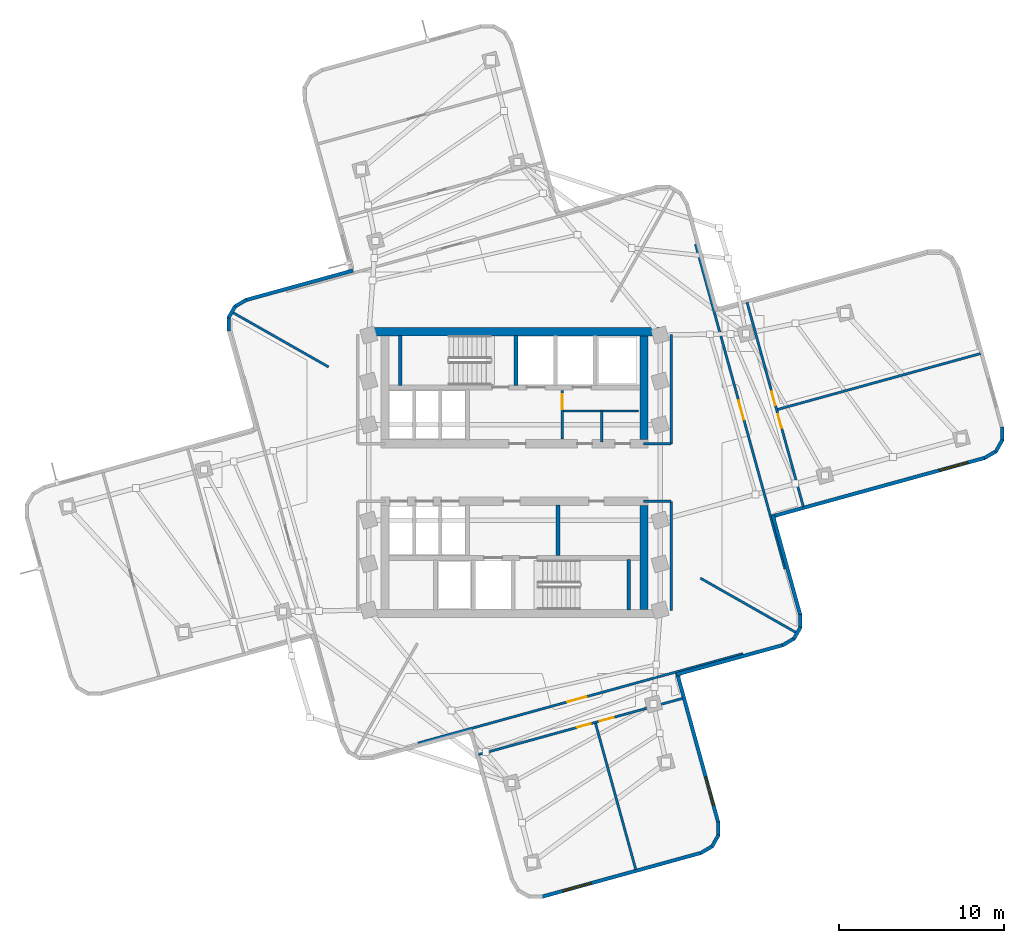
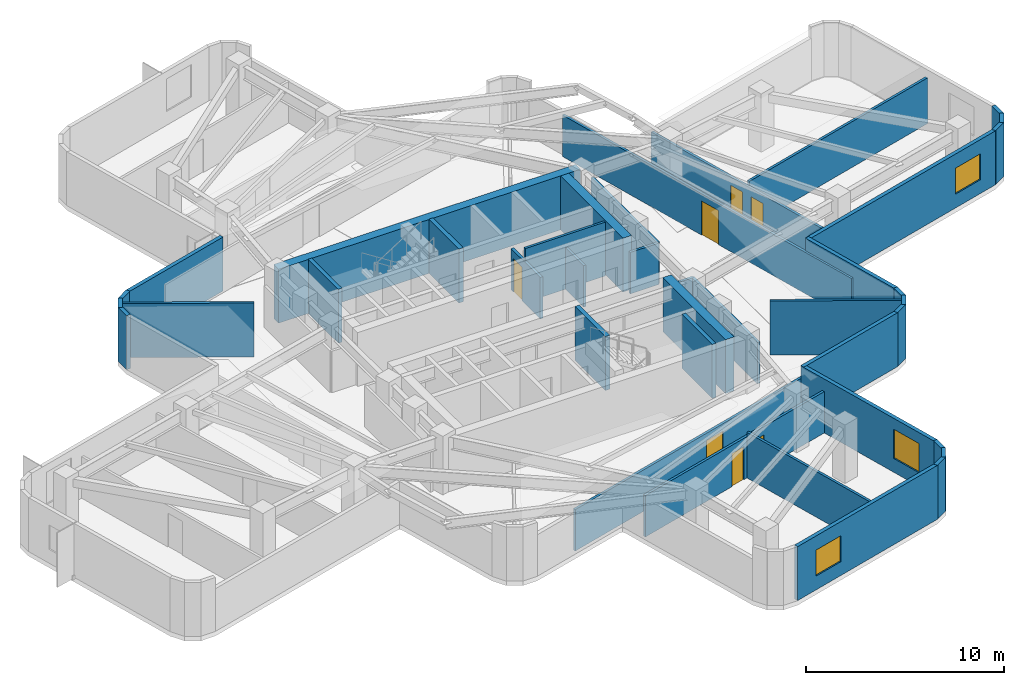
# One storey, part 4 of 8: 40 walls, 7 doors, 3 windows, 10 openings.
"""IFC4 building model written with IfcOpenShell, lengths in metres."""

from ifc_helpers import new_model, si_unit, direction, frame, frame_2d, origin, place, context, subcontext, project, spatial, rectangle, extrude, material, layer, layer_set, type_object, element, fill, save


model = new_model("IFC4")

# Units and contexts
model_context = context("Model", 3, precision=1e-05, world=origin(), true_north=direction((0.0, 1.0)))
body_context = subcontext(model_context, "Body", "Model", "MODEL_VIEW")
ifc_project = project(units=[si_unit("LENGTHUNIT", "METRE"), si_unit("AREAUNIT", "SQUARE_METRE"), si_unit("VOLUMEUNIT", "CUBIC_METRE"), si_unit("PLANEANGLEUNIT", "RADIAN"), si_unit("MASSUNIT", "GRAM", prefix="KILO")], contexts=[model_context])

# Site, building, storey
site_placement = place(None, origin())
site = spatial("IfcSite", under=ifc_project, at=site_placement, CompositionType="ELEMENT")
building_placement = place(site_placement, origin())
building = spatial("IfcBuilding", under=site, at=building_placement, Name="Solmarez Civic Tower", CompositionType="ELEMENT")
storey_placement = place(building_placement, frame((0.0, 0.0, 137.8798828125)))
storey = spatial("IfcBuildingStorey", under=building, at=storey_placement, Name="L36", CompositionType="ELEMENT", Elevation=137.8798828125)

# Walls
ifc_material_1 = material(Name="Concrete C60/75", Category="concrete")
ifc_layer_1 = layer(ifc_material_1, 0.5)
ifc_layer_set_1 = layer_set([ifc_layer_1], Name="Concrete C60/75")
wall_type_1 = type_object("IfcWallType", Name="WALL-CORE-500", PredefinedType="SHEAR", material=ifc_layer_set_1)
wall_1_placement = place(storey_placement, frame((-8.780029296875, 8.56005859375, 0.0), z_axis=(0.0, 0.0, 1.0), x_axis=(1.0, 0.0, 0.0)))
element("IfcWall", 1, at=wall_1_placement, inside=storey, type_object=wall_type_1, Name="L36 Split-Core Structural Wall NCW-N-L36", PredefinedType="SHEAR", context=body_context, shape_type="SweptSolid", body=[
    extrude(rectangle(XDim=17.56005859375, YDim=0.5, at=frame_2d((8.780029296875, 0.0))), origin(), (0.0, 0.0, 1.0), 3.320068359375),
])
for number, where, z_axis, x_axis, name in (
    (2, (7.8701171875, 8.31005859375, 0.0), (0.0, 0.0, 1.0), (0.0, -1.0, 0.0), "L36 Split-Core Structural Wall NCW-E-L36"),
    (3, (7.8701171875, -2.0, 0.0), (0.0, 0.0, 1.0), (0.0, -1.0, 0.0), "L36 Split-Core Structural Wall SCW-E-L36"),
):
    element("IfcWall", number, at=place(storey_placement, frame(where, z_axis=z_axis, x_axis=x_axis)), inside=storey, type_object=wall_type_1, Name=name, PredefinedType="SHEAR", context=body_context, shape_type="SweptSolid", body=[
        extrude(rectangle(XDim=6.31005859375, YDim=0.5, at=frame_2d((3.155029296875, 0.0))), origin(), (0.0, 0.0, 1.0), 3.320068359375),
    ])
ifc_material_2 = material(Name="Precast concrete C40/50", Category="concrete")
ifc_layer_2 = layer(ifc_material_2, 0.219970703125)
ifc_layer_set_2 = layer_set([ifc_layer_2], Name="Precast concrete C40/50")
wall_type_2 = type_object("IfcWallType", Name="WALL-EXT-220", PredefinedType="SOLIDWALL", material=ifc_layer_set_2)
wall_2_placement = place(storey_placement, frame((-17.35693359375, 8.611083984375, 0.0), z_axis=(0.0, 0.0, 1.0), x_axis=(-0.006140235123, 0.999981148579, 0.0)))
element("IfcWall", 4, at=wall_2_placement, inside=storey, type_object=wall_type_2, Name="L36 Exterior Precast Wall 14", PredefinedType="SOLIDWALL", context=body_context, shape_type="SweptSolid", body=[
    extrude(rectangle(XDim=0.8349609375, YDim=0.219970703125, at=frame_2d((0.41748046875, 0.0))), origin(), (0.0, 0.0, 1.0), 3.320068359375),
])
wall_3_placement = place(storey_placement, frame((-17.3740234375, 9.39892578125, 0.0), z_axis=(0.0, 0.0, 1.0), x_axis=(0.492959963164, 0.87005199541, 0.0)))
element("IfcWall", 5, at=wall_3_placement, inside=storey, type_object=wall_type_2, Name="L36 Exterior Precast Wall 15", PredefinedType="SOLIDWALL", context=body_context, shape_type="SweptSolid", body=[
    extrude(rectangle(XDim=0.819580078125, YDim=0.219970703125, at=frame_2d((0.40966796875, 0.0))), origin(), (0.0, 0.0, 1.0), 3.320068359375),
])
wall_4_placement = place(storey_placement, frame((-17.00390625, 10.076904296875, 0.0), z_axis=(0.0, 0.0, 1.0), x_axis=(0.862662761192, 0.505779557172, 0.0)))
element("IfcWall", 6, at=wall_4_placement, inside=storey, type_object=wall_type_2, Name="L36 Exterior Precast Wall 16", PredefinedType="SOLIDWALL", context=body_context, shape_type="SweptSolid", body=[
    extrude(rectangle(XDim=0.83447265625, YDim=0.219970703125, at=frame_2d((0.417236328125, 0.0))), origin(), (0.0, 0.0, 1.0), 3.320068359375),
])
wall_5_placement = place(storey_placement, frame((-16.330078125, 10.47900390625, 0.0), z_axis=(0.0, 0.0, 1.0), x_axis=(0.964092175021, 0.265567840793, 0.0)))
element("IfcWall", 7, at=wall_5_placement, inside=storey, type_object=wall_type_2, Name="L36 Exterior Precast Wall 17", PredefinedType="SOLIDWALL", context=body_context, shape_type="SweptSolid", body=[
    extrude(rectangle(XDim=6.7587890625, YDim=0.219970703125, at=frame_2d((3.37939453125, 0.0))), origin(), (0.0, 0.0, 1.0), 3.320068359375),
])
wall_6_placement = place(storey_placement, frame((29.6259765625, 2.764892578125, 0.0), z_axis=(0.0, 0.0, 1.0), x_axis=(0.006147424822, -0.999981104406, 0.0)))
element("IfcWall", 8, at=wall_6_placement, inside=storey, type_object=wall_type_2, Name="L36 Exterior Precast Wall 43", PredefinedType="SOLIDWALL", context=body_context, shape_type="SweptSolid", body=[
    extrude(rectangle(XDim=0.833984375, YDim=0.219970703125, at=frame_2d((0.4169921875, 0.0))), origin(), (0.0, 0.0, 1.0), 3.320068359375),
])
wall_7_placement = place(storey_placement, frame((29.64306640625, 1.97802734375, 0.0), z_axis=(0.0, 0.0, 1.0), x_axis=(-0.492057256668, -0.87056283872, 0.0)))
element("IfcWall", 9, at=wall_7_placement, inside=storey, type_object=wall_type_2, Name="L36 Exterior Precast Wall 44", PredefinedType="SOLIDWALL", context=body_context, shape_type="SweptSolid", body=[
    extrude(rectangle(XDim=0.819091796875, YDim=0.219970703125, at=frame_2d((0.40966796875, 0.0))), origin(), (0.0, 0.0, 1.0), 3.320068359375),
])
wall_8_placement = place(storey_placement, frame((29.27392578125, 1.300048828125, 0.0), z_axis=(0.0, 0.0, 1.0), x_axis=(-0.862451814289, -0.506139178517, 0.0)))
element("IfcWall", 10, at=wall_8_placement, inside=storey, type_object=wall_type_2, Name="L36 Exterior Precast Wall 45", PredefinedType="SOLIDWALL", context=body_context, shape_type="SweptSolid", body=[
    extrude(rectangle(XDim=0.8359375, YDim=0.219970703125, at=frame_2d((0.41796875, 0.0))), origin(), (0.0, 0.0, 1.0), 3.320068359375),
])

# Wall, opening, window
wall_9_placement = place(storey_placement, frame((28.59912109375, 0.89697265625, 0.0), z_axis=(0.0, 0.0, 1.0), x_axis=(-0.964113270695, -0.265491245185, 0.0)))
wall_9 = element("IfcWall", 11, at=wall_9_placement, inside=storey, type_object=wall_type_2, Name="L36 Exterior Precast Wall 46", PredefinedType="SOLIDWALL", context=body_context, shape_type="SweptSolid", body=[
    extrude(rectangle(XDim=13.4580078125, YDim=0.219970703125, at=frame_2d((6.72900390625, 0.0))), origin(), (0.0, 0.0, 1.0), 3.320068359375),
])
opening_1_placement = place(wall_9_placement, frame((1.10009765625, 0.0, 0.85009765625)))
opening_1 = element("IfcOpeningElement", 12, at=opening_1_placement, cuts=wall_9, Name="Opening W-12", PredefinedType="OPENING", context=body_context, shape_type="SweptSolid", body=[
    extrude(rectangle(XDim=1.800048828125, YDim=1.60009765625, at=frame_2d((0.89990234375, 0.800048828125))), frame((0.0, 0.119873046875, 0.0), z_axis=(0.0, -1.0, 0.0), x_axis=(1.0, 0.0, 0.0)), (0.0, 0.0, 1.0), 0.239990234375),
])
ifc_material_3 = material(Name="Solar Control Bronze-Tinted Insulating Glass", Category="glass")
window_type_1 = type_object("IfcWindowType", Name="WIN-1800X1600", PartitioningType="SINGLE_PANEL", PredefinedType="WINDOW", material=ifc_material_3)
window_1_placement = place(opening_1_placement, origin())
window_1 = element("IfcWindow", 13, at=window_1_placement, inside=storey, type_object=window_type_1, Name="L36 Exterior Facade Window 46", OverallHeight=1.60009765625, OverallWidth=1.800048828125, PartitioningType="SINGLE_PANEL", PredefinedType="WINDOW", context=body_context, shape_type="SweptSolid", body=[
    extrude(rectangle(XDim=1.800048828125, YDim=1.60009765625, at=frame_2d((0.89990234375, 0.800048828125))), frame((0.0, 0.030029296875, 0.0), z_axis=(0.0, -1.0, 0.0), x_axis=(1.0, 0.0, 0.0)), (0.0, 0.0, 1.0), 0.06005859375),
])
fill(opening_1, window_1)

# Walls
wall_10_placement = place(storey_placement, frame((15.68603515625, -2.568115234375, 0.0), z_axis=(0.0, 0.0, 1.0), x_axis=(0.265558779784, -0.964094670911, 0.0)))
element("IfcWall", 14, at=wall_10_placement, inside=storey, type_object=wall_type_2, Name="L36 Exterior Precast Wall 49", PredefinedType="SOLIDWALL", context=body_context, shape_type="SweptSolid", body=[
    extrude(rectangle(XDim=6.318603515625, YDim=0.219970703125, at=frame_2d((3.1591796875, 0.0))), origin(), (0.0, 0.0, 1.0), 3.320068359375),
])
wall_11_placement = place(storey_placement, frame((17.35693359375, -8.611083984375, 0.0), z_axis=(0.0, 0.0, 1.0), x_axis=(0.006140235123, -0.999981148579, 0.0)))
element("IfcWall", 15, at=wall_11_placement, inside=storey, type_object=wall_type_2, Name="L36 Exterior Precast Wall 50", PredefinedType="SOLIDWALL", context=body_context, shape_type="SweptSolid", body=[
    extrude(rectangle(XDim=0.8349609375, YDim=0.219970703125, at=frame_2d((0.41748046875, 0.0))), origin(), (0.0, 0.0, 1.0), 3.320068359375),
])
wall_12_placement = place(storey_placement, frame((17.3740234375, -9.39892578125, 0.0), z_axis=(0.0, 0.0, 1.0), x_axis=(-0.492959963164, -0.87005199541, 0.0)))
element("IfcWall", 16, at=wall_12_placement, inside=storey, type_object=wall_type_2, Name="L36 Exterior Precast Wall 51", PredefinedType="SOLIDWALL", context=body_context, shape_type="SweptSolid", body=[
    extrude(rectangle(XDim=0.819580078125, YDim=0.219970703125, at=frame_2d((0.40966796875, 0.0))), origin(), (0.0, 0.0, 1.0), 3.320068359375),
])
wall_13_placement = place(storey_placement, frame((17.00390625, -10.076904296875, 0.0), z_axis=(0.0, 0.0, 1.0), x_axis=(-0.862662761192, -0.505779557172, 0.0)))
element("IfcWall", 17, at=wall_13_placement, inside=storey, type_object=wall_type_2, Name="L36 Exterior Precast Wall 52", PredefinedType="SOLIDWALL", context=body_context, shape_type="SweptSolid", body=[
    extrude(rectangle(XDim=0.83447265625, YDim=0.219970703125, at=frame_2d((0.417236328125, 0.0))), origin(), (0.0, 0.0, 1.0), 3.320068359375),
])
wall_14_placement = place(storey_placement, frame((16.330078125, -10.47900390625, 0.0), z_axis=(0.0, 0.0, 1.0), x_axis=(-0.964092175021, -0.265567840793, 0.0)))
element("IfcWall", 18, at=wall_14_placement, inside=storey, type_object=wall_type_2, Name="L36 Exterior Precast Wall 53", PredefinedType="SOLIDWALL", context=body_context, shape_type="SweptSolid", body=[
    extrude(rectangle(XDim=6.7587890625, YDim=0.219970703125, at=frame_2d((3.37939453125, 0.0))), origin(), (0.0, 0.0, 1.0), 3.320068359375),
])

# Wall, opening, window
wall_15_placement = place(storey_placement, frame((9.8759765625, -12.166015625, 0.0), z_axis=(0.0, 0.0, 1.0), x_axis=(0.265575803102, -0.964089981696, 0.0)))
wall_15 = element("IfcWall", 19, at=wall_15_placement, inside=storey, type_object=wall_type_2, Name="L36 Exterior Precast Wall 56", PredefinedType="SOLIDWALL", context=body_context, shape_type="SweptSolid", body=[
    extrude(rectangle(XDim=9.45849609375, YDim=0.219970703125, at=frame_2d((4.729248046875, 0.0))), origin(), (0.0, 0.0, 1.0), 3.320068359375),
])
opening_2_placement = place(wall_15_placement, frame((6.55908203125, 0.0, 0.85009765625)))
opening_2 = element("IfcOpeningElement", 20, at=opening_2_placement, cuts=wall_15, Name="Opening W-08", PredefinedType="OPENING", context=body_context, shape_type="SweptSolid", body=[
    extrude(rectangle(XDim=1.800048828125, YDim=1.800048828125, at=frame_2d((0.89990234375, 0.89990234375))), frame((0.0, 0.119873046875, 0.0), z_axis=(0.0, -1.0, 0.0), x_axis=(1.0, 0.0, 0.0)), (0.0, 0.0, 1.0), 0.239990234375),
])
window_type_2 = type_object("IfcWindowType", Name="WIN-1800X1800", PartitioningType="SINGLE_PANEL", PredefinedType="WINDOW", material=ifc_material_3)
window_2_placement = place(opening_2_placement, origin())
window_2 = element("IfcWindow", 21, at=window_2_placement, inside=storey, type_object=window_type_2, Name="L36 Exterior Facade Window 56", OverallHeight=1.800048828125, OverallWidth=1.800048828125, PartitioningType="SINGLE_PANEL", PredefinedType="WINDOW", context=body_context, shape_type="SweptSolid", body=[
    extrude(rectangle(XDim=1.800048828125, YDim=1.800048828125, at=frame_2d((0.89990234375, 0.89990234375))), frame((0.0, 0.030029296875, 0.0), z_axis=(0.0, -1.0, 0.0), x_axis=(1.0, 0.0, 0.0)), (0.0, 0.0, 1.0), 0.06005859375),
])
fill(opening_2, window_2)

# Walls
wall_16_placement = place(storey_placement, frame((12.381103515625, -21.236083984375, 0.0), z_axis=(0.0, 0.0, 1.0), x_axis=(0.005854700592, -0.999982861094, 0.0)))
element("IfcWall", 22, at=wall_16_placement, inside=storey, type_object=wall_type_2, Name="L36 Exterior Precast Wall 57", PredefinedType="SOLIDWALL", context=body_context, shape_type="SweptSolid", body=[
    extrude(rectangle(XDim=0.833984375, YDim=0.219970703125, at=frame_2d((0.4169921875, 0.0))), origin(), (0.0, 0.0, 1.0), 3.320068359375),
])
wall_17_placement = place(storey_placement, frame((12.39794921875, -22.02294921875, 0.0), z_axis=(0.0, 0.0, 1.0), x_axis=(-0.492959963164, -0.87005199541, 0.0)))
element("IfcWall", 23, at=wall_17_placement, inside=storey, type_object=wall_type_2, Name="L36 Exterior Precast Wall 58", PredefinedType="SOLIDWALL", context=body_context, shape_type="SweptSolid", body=[
    extrude(rectangle(XDim=0.819580078125, YDim=0.219970703125, at=frame_2d((0.40966796875, 0.0))), origin(), (0.0, 0.0, 1.0), 3.320068359375),
])
wall_18_placement = place(storey_placement, frame((12.028076171875, -22.700927734375, 0.0), z_axis=(0.0, 0.0, 1.0), x_axis=(-0.86215208584, -0.506649564178, 0.0)))
element("IfcWall", 24, at=wall_18_placement, inside=storey, type_object=wall_type_2, Name="L36 Exterior Precast Wall 59", PredefinedType="SOLIDWALL", context=body_context, shape_type="SweptSolid", body=[
    extrude(rectangle(XDim=0.835205078125, YDim=0.219970703125, at=frame_2d((0.41748046875, 0.0))), origin(), (0.0, 0.0, 1.0), 3.320068359375),
])

# Wall, opening, window
wall_19_placement = place(storey_placement, frame((11.35400390625, -23.10400390625, 0.0), z_axis=(0.0, 0.0, 1.0), x_axis=(-0.964062724545, -0.265674731848, 0.0)))
wall_19 = element("IfcWall", 25, at=wall_19_placement, inside=storey, type_object=wall_type_2, Name="L36 Exterior Precast Wall 60", PredefinedType="SOLIDWALL", context=body_context, shape_type="SweptSolid", body=[
    extrude(rectangle(XDim=10.0615234375, YDim=0.219970703125, at=frame_2d((5.03076171875, 0.0))), origin(), (0.0, 0.0, 1.0), 3.320068359375),
])
opening_3_placement = place(wall_19_placement, frame((6.947998046875, 0.0, 0.85009765625)))
opening_3 = element("IfcOpeningElement", 26, at=opening_3_placement, cuts=wall_19, Name="Opening W-12", PredefinedType="OPENING", context=body_context, shape_type="SweptSolid", body=[
    extrude(rectangle(XDim=1.800048828125, YDim=1.60009765625, at=frame_2d((0.89990234375, 0.800048828125))), frame((0.0, 0.119873046875, 0.0), z_axis=(0.0, -1.0, 0.0), x_axis=(1.0, 0.0, 0.0)), (0.0, 0.0, 1.0), 0.239990234375),
])
window_3_placement = place(opening_3_placement, origin())
window_3 = element("IfcWindow", 27, at=window_3_placement, inside=storey, type_object=window_type_1, Name="L36 Exterior Facade Window 60", OverallHeight=1.60009765625, OverallWidth=1.800048828125, PartitioningType="SINGLE_PANEL", PredefinedType="WINDOW", context=body_context, shape_type="SweptSolid", body=[
    extrude(rectangle(XDim=1.800048828125, YDim=1.60009765625, at=frame_2d((0.89990234375, 0.800048828125))), frame((0.0, 0.030029296875, 0.0), z_axis=(0.0, -1.0, 0.0), x_axis=(1.0, 0.0, 0.0)), (0.0, 0.0, 1.0), 0.06005859375),
])
fill(opening_3, window_3)

# Walls
ifc_material_4 = material(Name="Gypsum Board Acoustic Steel-Stud Partition", Category="steel")
ifc_layer_3 = layer(ifc_material_4, 0.14990234375)
ifc_layer_set_3 = layer_set([ifc_layer_3], Name="Gypsum Board Acoustic Steel-Stud Partition")
wall_type_3 = type_object("IfcWallType", Name="WALL-INT-FIRE-150", PredefinedType="PARTITIONING", material=ifc_layer_set_3)
wall_20_placement = place(storey_placement, frame((9.52001953125, 1.75, 0.0), z_axis=(0.0, 0.0, 1.0), x_axis=(0.0, 1.0, 0.0)))
element("IfcWall", 28, at=wall_20_placement, inside=storey, type_object=wall_type_3, Name="L36 Interior Partition CHW-L36-EN1", PredefinedType="PARTITIONING", context=body_context, shape_type="SweptSolid", body=[
    extrude(rectangle(XDim=6.6298828125, YDim=0.14990234375, at=frame_2d((3.31494140625, 0.0))), origin(), (0.0, 0.0, 1.0), 2.550048828125),
])
wall_21_placement = place(storey_placement, frame((7.85009765625, 1.75, 0.0), z_axis=(0.0, 0.0, 1.0), x_axis=(1.0, 0.0, 0.0)))
element("IfcWall", 29, at=wall_21_placement, inside=storey, type_object=wall_type_3, Name="L36 Interior Partition CHW-L36-EN3", PredefinedType="PARTITIONING", context=body_context, shape_type="SweptSolid", body=[
    extrude(rectangle(XDim=1.669921875, YDim=0.14990234375, at=frame_2d((0.8349609375, 0.0))), origin(), (0.0, 0.0, 1.0), 2.550048828125),
])
wall_22_placement = place(storey_placement, frame((9.52001953125, -8.3798828125, 0.0), z_axis=(0.0, 0.0, 1.0), x_axis=(0.0, 1.0, 0.0)))
element("IfcWall", 30, at=wall_22_placement, inside=storey, type_object=wall_type_3, Name="L36 Interior Partition CHW-L36-ES1", PredefinedType="PARTITIONING", context=body_context, shape_type="SweptSolid", body=[
    extrude(rectangle(XDim=6.6298828125, YDim=0.14990234375, at=frame_2d((3.31494140625, 0.0))), origin(), (0.0, 0.0, 1.0), 2.550048828125),
])
wall_23_placement = place(storey_placement, frame((7.85009765625, -1.75, 0.0), z_axis=(0.0, 0.0, 1.0), x_axis=(1.0, 0.0, 0.0)))
element("IfcWall", 31, at=wall_23_placement, inside=storey, type_object=wall_type_3, Name="L36 Interior Partition CHW-L36-ES3", PredefinedType="PARTITIONING", context=body_context, shape_type="SweptSolid", body=[
    extrude(rectangle(XDim=1.669921875, YDim=0.14990234375, at=frame_2d((0.8349609375, 0.0))), origin(), (0.0, 0.0, 1.0), 2.550048828125),
])
ifc_layer_4 = layer(ifc_material_4, 0.14501953125)
ifc_layer_set_4 = layer_set([ifc_layer_4], Name="Gypsum Board Acoustic Steel-Stud Partition")
wall_type_4 = type_object("IfcWallType", Name="WALL-INT-PART-150", PredefinedType="PARTITIONING", material=ifc_layer_set_4)
for number, where, z_axis, x_axis, name in (
    (32, (-11.300048828125, 6.4189453125, 0.0), (0.0, 0.0, 1.0), (-0.869475469758, 0.493976120363, 0.0), "L36 Interior Partition PT-L36-QDIV-2"),
    (33, (11.300048828125, -6.4189453125, 0.0), (0.0, 0.0, 1.0), (0.869475469758, -0.493976120363, 0.0), "L36 Interior Partition PT-L36-QDIV-4"),
):
    element("IfcWall", number, at=place(storey_placement, frame(where, z_axis=z_axis, x_axis=x_axis)), inside=storey, type_object=wall_type_4, Name=name, PredefinedType="PARTITIONING", context=body_context, shape_type="SweptSolid", body=[
        extrude(rectangle(XDim=6.6787109375, YDim=0.14501953125, at=frame_2d((3.33935546875, 0.0))), origin(), (0.0, 0.0, 1.0), 3.320068359375),
    ])

# Wall, opening, door
wall_24_placement = place(storey_placement, frame((10.9990234375, 13.87890625, 0.0), z_axis=(0.0, 0.0, 1.0), x_axis=(0.26558288107, -0.964088031915, 0.0)))
wall_24 = element("IfcWall", 34, at=wall_24_placement, inside=storey, type_object=wall_type_4, Name="L36 Interior Partition PT-L36-E-ENT", PredefinedType="PARTITIONING", context=body_context, shape_type="SweptSolid", body=[
    extrude(rectangle(XDim=20.479248046875, YDim=0.14501953125, at=frame_2d((10.23974609375, 0.0))), origin(), (0.0, 0.0, 1.0), 2.550048828125),
])
opening_4_placement = place(wall_24_placement, frame((9.860107421875, 0.0, 0.0)))
opening_4 = element("IfcOpeningElement", 35, at=opening_4_placement, cuts=wall_24, Name="Opening D-11", PredefinedType="OPENING", context=body_context, shape_type="SweptSolid", body=[
    extrude(rectangle(XDim=1.199951171875, YDim=2.10009765625, at=frame_2d((0.60009765625, 1.050048828125))), frame((0.0, 0.08251953125, 0.0), z_axis=(0.0, -1.0, 0.0), x_axis=(1.0, 0.0, 0.0)), (0.0, 0.0, 1.0), 0.1650390625),
])
ifc_material_5 = material(Name="Glazed-Vision Acoustic Chamber Door", Category="wood")
door_type_1 = type_object("IfcDoorType", Name="DOOR-INT-1200", OperationType="NOTDEFINED", PredefinedType="DOOR", material=ifc_material_5)
door_1_placement = place(opening_4_placement, origin())
door_1 = element("IfcDoor", 36, at=door_1_placement, inside=storey, type_object=door_type_1, Name="L36 Maritime Registry Legislative Seminar Room First East Door", OperationType="SINGLE_SWING_LEFT", OverallHeight=2.10009765625, OverallWidth=1.199951171875, PredefinedType="DOOR", context=body_context, shape_type="SweptSolid", body=[
    extrude(rectangle(XDim=1.199951171875, YDim=2.10009765625, at=frame_2d((0.60009765625, 1.050048828125))), frame((0.0, 0.02490234375, 0.0), z_axis=(0.0, -1.0, 0.0), x_axis=(1.0, 0.0, 0.0)), (0.0, 0.0, 1.0), 0.050048828125),
])
fill(opening_4, door_1)

# Wall
wall_25_placement = place(storey_placement, frame((15.986083984375, 3.8330078125, 0.0), z_axis=(0.0, 0.0, 1.0), x_axis=(0.964097539176, 0.265548366506, 0.0)))
element("IfcWall", 37, at=wall_25_placement, inside=storey, type_object=wall_type_4, Name="L36 Interior Partition PT-L36-E-TSP", PredefinedType="PARTITIONING", context=body_context, shape_type="SweptSolid", body=[
    extrude(rectangle(XDim=12.784912109375, YDim=0.14501953125, at=frame_2d((6.392578125, 0.0))), origin(), (0.0, 0.0, 1.0), 2.81201171875),
])

# Wall, openings, doors
wall_26_placement = place(storey_placement, frame((17.549072265625, -2.069091796875, 0.0), z_axis=(0.0, 0.0, 1.0), x_axis=(-0.265569130282, 0.964091819819, 0.0)))
wall_26 = element("IfcWall", 38, at=wall_26_placement, inside=storey, type_object=wall_type_4, Name="L36 Interior Partition PT-L36-E-SCUT", PredefinedType="PARTITIONING", context=body_context, shape_type="SweptSolid", body=[
    extrude(rectangle(XDim=12.870361328125, YDim=0.14501953125, at=frame_2d((6.43505859375, 0.0))), origin(), (0.0, 0.0, 1.0), 2.550048828125),
])
opening_5_placement = place(wall_26_placement, frame((4.955078125, 0.0, 0.0)))
opening_5 = element("IfcOpeningElement", 39, at=opening_5_placement, cuts=wall_26, Name="Opening D-14", PredefinedType="OPENING", context=body_context, shape_type="SweptSolid", body=[
    extrude(rectangle(XDim=0.860107421875, YDim=2.0400390625, at=frame_2d((0.43017578125, 1.02001953125))), frame((0.0, 0.08251953125, 0.0), z_axis=(0.0, -1.0, 0.0), x_axis=(1.0, 0.0, 0.0)), (0.0, 0.0, 1.0), 0.1650390625),
])
opening_6_placement = place(wall_26_placement, frame((6.39501953125, 0.0, 0.0)))
opening_6 = element("IfcOpeningElement", 40, at=opening_6_placement, cuts=wall_26, Name="Opening D-14", PredefinedType="OPENING", context=body_context, shape_type="SweptSolid", body=[
    extrude(rectangle(XDim=0.860107421875, YDim=2.0400390625, at=frame_2d((0.43017578125, 1.02001953125))), frame((0.0, 0.08251953125, 0.0), z_axis=(0.0, -1.0, 0.0), x_axis=(1.0, 0.0, 0.0)), (0.0, 0.0, 1.0), 0.1650390625),
])
ifc_material_6 = material(Name="Timber Storage and Pantry Door", Category="wood")
door_type_2 = type_object("IfcDoorType", Name="DOOR-INT-850", OperationType="NOTDEFINED", PredefinedType="DOOR", material=ifc_material_6)
door_2_placement = place(opening_5_placement, origin())
door_2 = element("IfcDoor", 41, at=door_2_placement, inside=storey, type_object=door_type_2, Name="L36 Delegates Sitting Lounge Third East Door", OperationType="SINGLE_SWING_RIGHT", OverallHeight=2.0400390625, OverallWidth=0.860107421875, PredefinedType="DOOR", context=body_context, shape_type="SweptSolid", body=[
    extrude(rectangle(XDim=0.860107421875, YDim=2.0400390625, at=frame_2d((0.43017578125, 1.02001953125))), frame((0.0, 0.02490234375, 0.0), z_axis=(0.0, -1.0, 0.0), x_axis=(1.0, 0.0, 0.0)), (0.0, 0.0, 1.0), 0.050048828125),
])
fill(opening_5, door_2)
door_3_placement = place(opening_6_placement, origin())
door_3 = element("IfcDoor", 42, at=door_3_placement, inside=storey, type_object=door_type_2, Name="L36 Civic Training Classroom Second East Door", OperationType="SINGLE_SWING_LEFT", OverallHeight=2.0400390625, OverallWidth=0.860107421875, PredefinedType="DOOR", context=body_context, shape_type="SweptSolid", body=[
    extrude(rectangle(XDim=0.860107421875, YDim=2.0400390625, at=frame_2d((0.43017578125, 1.02001953125))), frame((0.0, 0.02490234375, 0.0), z_axis=(0.0, -1.0, 0.0), x_axis=(1.0, 0.0, 0.0)), (0.0, 0.0, 1.0), 0.050048828125),
])
fill(opening_6, door_3)

# Wall, opening, door
wall_27_placement = place(storey_placement, frame((13.87890625, -10.9990234375, 0.0), z_axis=(0.0, 0.0, 1.0), x_axis=(-0.964088031915, -0.26558288107, 0.0)))
wall_27 = element("IfcWall", 43, at=wall_27_placement, inside=storey, type_object=wall_type_4, Name="L36 Interior Partition PT-L36-S-ENT", PredefinedType="PARTITIONING", context=body_context, shape_type="SweptSolid", body=[
    extrude(rectangle(XDim=20.479248046875, YDim=0.14501953125, at=frame_2d((10.23974609375, 0.0))), origin(), (0.0, 0.0, 1.0), 2.550048828125),
])
opening_7_placement = place(wall_27_placement, frame((9.860107421875, 0.0, 0.0)))
opening_7 = element("IfcOpeningElement", 44, at=opening_7_placement, cuts=wall_27, Name="Opening D-11", PredefinedType="OPENING", context=body_context, shape_type="SweptSolid", body=[
    extrude(rectangle(XDim=1.199951171875, YDim=2.10009765625, at=frame_2d((0.60009765625, 1.050048828125))), frame((0.0, 0.08251953125, 0.0), z_axis=(0.0, -1.0, 0.0), x_axis=(1.0, 0.0, 0.0)), (0.0, 0.0, 1.0), 0.1650390625),
])
door_4_placement = place(opening_7_placement, origin())
door_4 = element("IfcDoor", 45, at=door_4_placement, inside=storey, type_object=door_type_1, Name="L36 Public Reception Room First South Door", OperationType="SINGLE_SWING_LEFT", OverallHeight=2.10009765625, OverallWidth=1.199951171875, PredefinedType="DOOR", context=body_context, shape_type="SweptSolid", body=[
    extrude(rectangle(XDim=1.199951171875, YDim=2.10009765625, at=frame_2d((0.60009765625, 1.050048828125))), frame((0.0, 0.02490234375, 0.0), z_axis=(0.0, -1.0, 0.0), x_axis=(1.0, 0.0, 0.0)), (0.0, 0.0, 1.0), 0.050048828125),
])
fill(opening_7, door_4)

# Wall
wall_28_placement = place(storey_placement, frame((4.924072265625, -15.239990234375, 0.0), z_axis=(0.0, 0.0, 1.0), x_axis=(0.26555117946, -0.96409676438, 0.0)))
element("IfcWall", 46, at=wall_28_placement, inside=storey, type_object=wall_type_4, Name="L36 Interior Partition PT-L36-S-TM3", PredefinedType="PARTITIONING", context=body_context, shape_type="SweptSolid", body=[
    extrude(rectangle(XDim=9.21484375, YDim=0.14501953125, at=frame_2d((4.607421875, 0.0))), origin(), (0.0, 0.0, 1.0), 2.81201171875),
])

# Wall, openings, doors
wall_29_placement = place(storey_placement, frame((-2.18310546875, -17.135009765625, 0.0), z_axis=(0.0, 0.0, 1.0), x_axis=(0.964091819819, 0.265569130282, 0.0)))
wall_29 = element("IfcWall", 47, at=wall_29_placement, inside=storey, type_object=wall_type_4, Name="L36 Interior Partition PT-L36-S-SCUT", PredefinedType="PARTITIONING", context=body_context, shape_type="SweptSolid", body=[
    extrude(rectangle(XDim=12.870361328125, YDim=0.14501953125, at=frame_2d((6.43505859375, 0.0))), origin(), (0.0, 0.0, 1.0), 2.550048828125),
])
opening_8_placement = place(wall_29_placement, frame((6.205078125, 0.0, 0.0)))
opening_8 = element("IfcOpeningElement", 48, at=opening_8_placement, cuts=wall_29, Name="Opening D-14", PredefinedType="OPENING", context=body_context, shape_type="SweptSolid", body=[
    extrude(rectangle(XDim=0.860107421875, YDim=2.0400390625, at=frame_2d((0.43017578125, 1.02001953125))), frame((0.0, 0.08251953125, 0.0), z_axis=(0.0, -1.0, 0.0), x_axis=(1.0, 0.0, 0.0)), (0.0, 0.0, 1.0), 0.1650390625),
])
opening_9_placement = place(wall_29_placement, frame((7.64501953125, 0.0, 0.0)))
opening_9 = element("IfcOpeningElement", 49, at=opening_9_placement, cuts=wall_29, Name="Opening D-14", PredefinedType="OPENING", context=body_context, shape_type="SweptSolid", body=[
    extrude(rectangle(XDim=0.860107421875, YDim=2.0400390625, at=frame_2d((0.43017578125, 1.02001953125))), frame((0.0, 0.08251953125, 0.0), z_axis=(0.0, -1.0, 0.0), x_axis=(1.0, 0.0, 0.0)), (0.0, 0.0, 1.0), 0.1650390625),
])
door_5_placement = place(opening_8_placement, origin())
door_5 = element("IfcDoor", 50, at=door_5_placement, inside=storey, type_object=door_type_2, Name="L36 Delegates Sitting Lounge Third South Door", OperationType="SINGLE_SWING_RIGHT", OverallHeight=2.0400390625, OverallWidth=0.860107421875, PredefinedType="DOOR", context=body_context, shape_type="SweptSolid", body=[
    extrude(rectangle(XDim=0.860107421875, YDim=2.0400390625, at=frame_2d((0.43017578125, 1.02001953125))), frame((0.0, 0.02490234375, 0.0), z_axis=(0.0, -1.0, 0.0), x_axis=(1.0, 0.0, 0.0)), (0.0, 0.0, 1.0), 0.050048828125),
])
fill(opening_8, door_5)
door_6_placement = place(opening_9_placement, origin())
door_6 = element("IfcDoor", 51, at=door_6_placement, inside=storey, type_object=door_type_2, Name="L36 Civic Training Classroom Second South Door", OperationType="SINGLE_SWING_LEFT", OverallHeight=2.0400390625, OverallWidth=0.860107421875, PredefinedType="DOOR", context=body_context, shape_type="SweptSolid", body=[
    extrude(rectangle(XDim=0.860107421875, YDim=2.0400390625, at=frame_2d((0.43017578125, 1.02001953125))), frame((0.0, 0.02490234375, 0.0), z_axis=(0.0, -1.0, 0.0), x_axis=(1.0, 0.0, 0.0)), (0.0, 0.0, 1.0), 0.050048828125),
])
fill(opening_9, door_6)

# Wall, opening, door
ifc_layer_5 = layer(ifc_material_4, 0.159912109375)
ifc_layer_set_5 = layer_set([ifc_layer_5], Name="Gypsum Board Acoustic Steel-Stud Partition")
wall_type_5 = type_object("IfcWallType", Name="WALL-INT-SHAFT-160", PredefinedType="PARTITIONING", material=ifc_layer_set_5)
wall_30_placement = place(storey_placement, frame((2.89990234375, 2.0400390625, 0.0), z_axis=(0.0, 0.0, 1.0), x_axis=(0.0, 1.0, 0.0)))
wall_30 = element("IfcWall", 52, at=wall_30_placement, inside=storey, type_object=wall_type_5, Name="L36 Interior Partition SHW-NL2-L36", PredefinedType="PARTITIONING", context=body_context, shape_type="SweptSolid", body=[
    extrude(rectangle(XDim=2.93994140625, YDim=0.159912109375, at=frame_2d((1.469970703125, 0.0))), origin(), (0.0, 0.0, 1.0), 2.550048828125),
])
opening_10_placement = place(wall_30_placement, frame((1.820068359375, 0.0, 0.0)))
opening_10 = element("IfcOpeningElement", 53, at=opening_10_placement, cuts=wall_30, Name="Opening D-09", PredefinedType="OPENING", context=body_context, shape_type="SweptSolid", body=[
    extrude(rectangle(XDim=0.89990234375, YDim=2.06005859375, at=frame_2d((0.449951171875, 1.030029296875))), frame((0.0, 0.08984375, 0.0), z_axis=(0.0, -1.0, 0.0), x_axis=(1.0, 0.0, 0.0)), (0.0, 0.0, 1.0), 0.179931640625),
])
ifc_material_7 = material(Name="Fire-Rated Service Core Door", Category="wood")
door_type_3 = type_object("IfcDoorType", Name="DOOR-FD60-900", OperationType="NOTDEFINED", PredefinedType="DOOR", material=ifc_material_7)
door_7_placement = place(opening_10_placement, origin())
door_7 = element("IfcDoor", 54, at=door_7_placement, inside=storey, type_object=door_type_3, Name="L36 Service Lift Lobby Door", OperationType="SINGLE_SWING_LEFT", OverallHeight=2.06005859375, OverallWidth=0.89990234375, PredefinedType="DOOR", context=body_context, shape_type="SweptSolid", body=[
    extrude(rectangle(XDim=0.89990234375, YDim=2.06005859375, at=frame_2d((0.449951171875, 1.030029296875))), frame((0.0, 0.02490234375, 0.0), z_axis=(0.0, -1.0, 0.0), x_axis=(1.0, 0.0, 0.0)), (0.0, 0.0, 1.0), 0.050048828125),
])
fill(opening_10, door_7)

# Walls
ifc_layer_6 = layer(ifc_material_4, 0.137939453125)
ifc_layer_set_6 = layer_set([ifc_layer_6], Name="Gypsum Board Acoustic Steel-Stud Partition")
wall_type_6 = type_object("IfcWallType", Name="WALL-INT-WET-140", PredefinedType="PARTITIONING", material=ifc_layer_set_6)
wall_31_placement = place(storey_placement, frame((2.89990234375, 3.739990234375, 0.0), z_axis=(0.0, 0.0, 1.0), x_axis=(1.0, 0.0, 0.0)))
element("IfcWall", 55, at=wall_31_placement, inside=storey, type_object=wall_type_6, Name="L36 Interior Partition SHW-SVH-L36", PredefinedType="PARTITIONING", context=body_context, shape_type="SweptSolid", body=[
    extrude(rectangle(XDim=4.650146484375, YDim=0.137939453125, at=frame_2d((2.3251953125, 0.0))), origin(), (0.0, 0.0, 1.0), 3.320068359375),
])
wall_32_placement = place(storey_placement, frame((5.300048828125, 1.85009765625, 0.0), z_axis=(0.0, 0.0, 1.0), x_axis=(0.0, 1.0, 0.0)))
element("IfcWall", 56, at=wall_32_placement, inside=storey, type_object=wall_type_6, Name="L36 Interior Partition PT-NCSV-L36", PredefinedType="PARTITIONING", context=body_context, shape_type="SweptSolid", body=[
    extrude(rectangle(XDim=1.889892578125, YDim=0.137939453125, at=frame_2d((0.94482421875, 0.0))), origin(), (0.0, 0.0, 1.0), 2.550048828125),
])
ifc_material_8 = material(Name="Concrete C50/60", Category="concrete")
ifc_layer_7 = layer(ifc_material_8, 0.300048828125)
ifc_layer_set_7 = layer_set([ifc_layer_7], Name="Concrete C50/60")
wall_type_7 = type_object("IfcWallType", Name="WALL-STR-300", PredefinedType="SOLIDWALL", material=ifc_layer_set_7)
for number, where, z_axis, x_axis, name in (
    (57, (-6.949951171875, 5.280029296875, 0.0), (0.0, 0.0, 1.0), (0.0, 1.0, 0.0), "L36 Split-Core Structural Wall SHW-NW-L36"),
    (58, (6.949951171875, -8.340087890625, 0.0), (0.0, 0.0, 1.0), (0.0, 1.0, 0.0), "L36 Split-Core Structural Wall SHW-SE-L36"),
):
    element("IfcWall", number, at=place(storey_placement, frame(where, z_axis=z_axis, x_axis=x_axis)), inside=storey, type_object=wall_type_7, Name=name, PredefinedType="SOLIDWALL", context=body_context, shape_type="SweptSolid", body=[
        extrude(rectangle(XDim=3.06005859375, YDim=0.219970703125, at=frame_2d((1.530029296875, 0.0))), origin(), (0.0, 0.0, 1.0), 3.320068359375),
    ])
wall_33_placement = place(storey_placement, frame((0.10009765625, 5.300048828125, 0.0), z_axis=(0.0, 0.0, 1.0), x_axis=(0.0, 1.0, 0.0)))
element("IfcWall", 59, at=wall_33_placement, inside=storey, type_object=wall_type_7, Name="L36 Split-Core Structural Wall SHW-N1-L36", PredefinedType="SOLIDWALL", context=body_context, shape_type="SweptSolid", body=[
    extrude(rectangle(XDim=3.0400390625, YDim=0.25, at=frame_2d((1.52001953125, 0.0))), origin(), (0.0, 0.0, 1.0), 3.320068359375),
])
wall_34_placement = place(storey_placement, frame((2.64990234375, -5.050048828125, 0.0), z_axis=(0.0, 0.0, 1.0), x_axis=(0.0, 1.0, 0.0)))
element("IfcWall", 60, at=wall_34_placement, inside=storey, type_object=wall_type_7, Name="L36 Split-Core Structural Wall SHW-SL2-L36", PredefinedType="SOLIDWALL", context=body_context, shape_type="SweptSolid", body=[
    extrude(rectangle(XDim=3.070068359375, YDim=0.25, at=frame_2d((1.53515625, 0.0))), origin(), (0.0, 0.0, 1.0), 3.320068359375),
])

save(model, "model.ifc")
